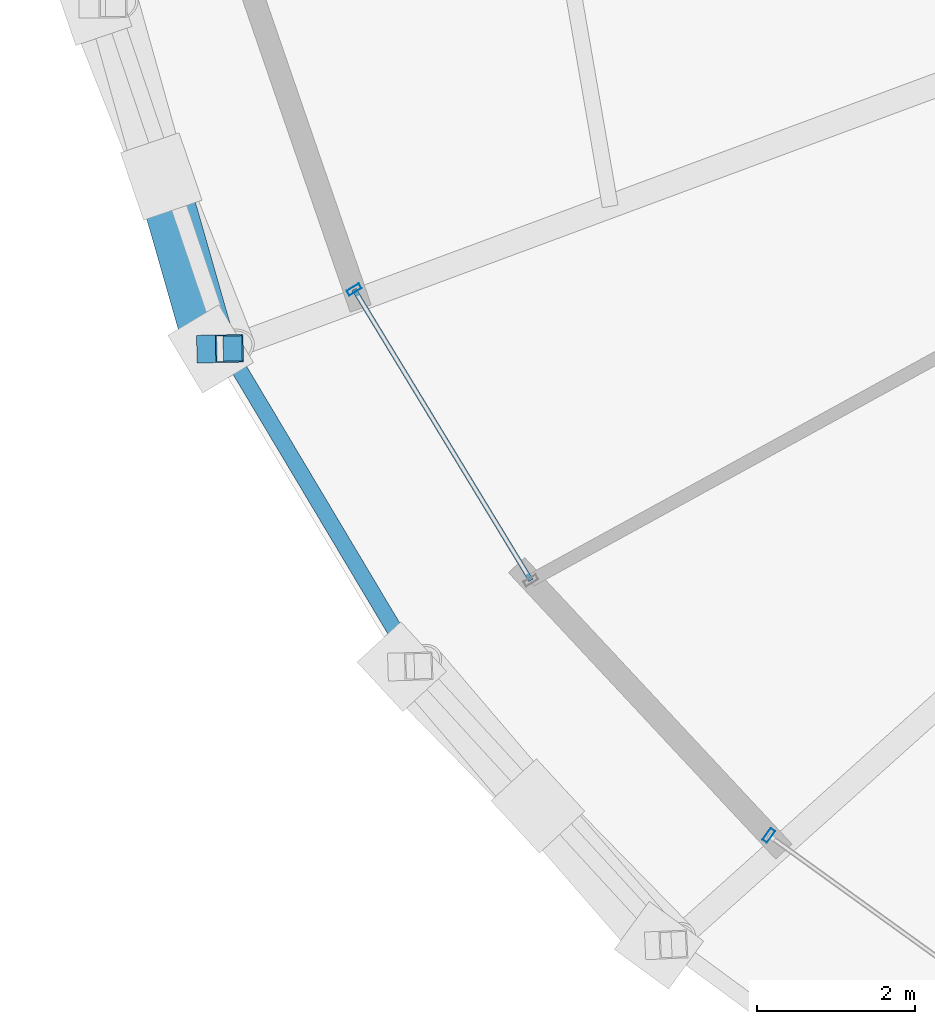
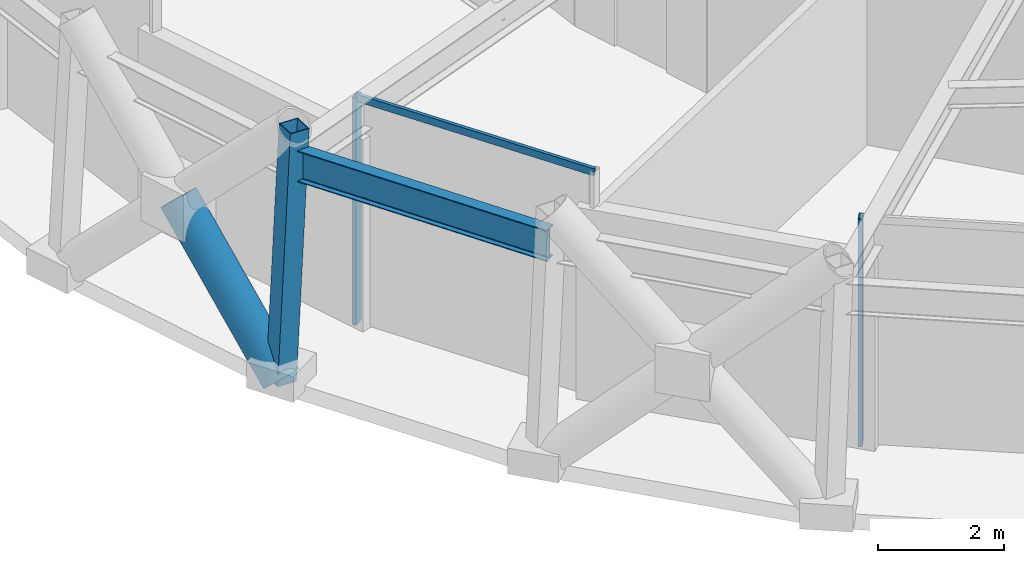
# One storey, part 2 of 29: 5 members, 1 beam, 2 elements without a shape of their own.
"""IFC4 building model written with IfcOpenShell, lengths in metres."""

from ifc_helpers import new_model, si_unit, direction, frame, origin, origin_2d, place, context, subcontext, project, spatial, hollow_rectangle, hollow_circle, i_section, extrude, material, layer, layer_set, material_profile, profile_set, type_object, element, aggregate, save


model = new_model("IFC4")

# Units and contexts
model_context = context("Model", 3, precision=1e-05, world=origin(), true_north=direction((0.0, 1.0)))
body_context = subcontext(model_context, "Body", "Model", "MODEL_VIEW")
ifc_project = project(units=[si_unit("LENGTHUNIT", "METRE"), si_unit("AREAUNIT", "SQUARE_METRE"), si_unit("VOLUMEUNIT", "CUBIC_METRE"), si_unit("PLANEANGLEUNIT", "RADIAN"), si_unit("MASSUNIT", "GRAM", prefix="KILO")], contexts=[model_context])

# Site, building, storey
site_placement = place(None, origin())
site = spatial("IfcSite", under=ifc_project, at=site_placement, CompositionType="ELEMENT")
building_placement = place(site_placement, origin())
building = spatial("IfcBuilding", under=site, at=building_placement, Name="Veldorina Hangang Commons", CompositionType="ELEMENT")
storey_placement = place(building_placement, frame((0.0, 0.0, 203.60009765625)))
storey = spatial("IfcBuildingStorey", under=building, at=storey_placement, Name="L53", CompositionType="ELEMENT", Elevation=203.60009765625)

# Beam
ifc_material_1 = material(Name="Steel SM420-TMC", Category="steel")
ifc_material_profile_1 = material_profile(ifc_material_1, i_section(OverallWidth=0.199951171875, OverallDepth=0.60009765625, WebThickness=0.010986328125, FlangeThickness=0.01708984375, FilletRadius=0.01806640625, at=origin_2d()), Name="H-600x200x11x17")
ifc_profile_set_1 = profile_set([ifc_material_profile_1], Name="Steel SM420-TMC")
beam_type = type_object("IfcBeamType", Name="BM-RB600", PredefinedType="BEAM", material=ifc_profile_set_1)
beam_placement = place(storey_placement, frame((8.0859375, 15.12451171875, 4.139892578125), z_axis=(0.512310103749, -0.858800534232, 0.0), x_axis=(0.858800534232, 0.512310103749, 0.0)))
element("IfcBeam", 1, at=beam_placement, inside=storey, type_object=beam_type, Name="L53 perimeter hoop ring beam 18", PredefinedType="BEAM", context=body_context, shape_type="SweptSolid", body=[
    extrude(i_section(OverallWidth=0.199951171875, OverallDepth=0.60009765625, WebThickness=0.010986328125, FlangeThickness=0.01708984375, FilletRadius=0.01806640625, at=origin_2d()), origin(), (0.0, 0.0, 1.0), 4.668701171875),
])

# Curtain wall, member
ifc_material_2 = material(Name="Glass Acoustic Laminated", Category="glass")
ifc_layer = layer(ifc_material_2, 0.179931640625)
ifc_layer_set = layer_set([ifc_layer], Name="Glass Acoustic Laminated")
curtain_wall_type = type_object("IfcCurtainWallType", Name="CW-SYS-SKY", PredefinedType="NOTDEFINED", material=ifc_layer_set)
curtain_wall_1_placement = place(storey_placement, origin())
curtain_wall_1 = element("IfcCurtainWall", 2, at=curtain_wall_1_placement, inside=storey, type_object=curtain_wall_type, Name="L53 unitised curtain wall CW-L53-R8", PredefinedType="NOTDEFINED")
ifc_material_3 = material(Name="Aluminium Anodized AA6063-T6", Category="aluminium")
ifc_material_profile_2 = material_profile(ifc_material_3, hollow_rectangle(XDim=0.070068359375, YDim=0.179931640625, WallThickness=0.00390625, at=origin_2d()), Name="ALU-RHS-180x70x4")
ifc_profile_set_2 = profile_set([ifc_material_profile_2], Name="Aluminium Anodized AA6063-T6")
member_type_1 = type_object("IfcMemberType", Name="CW-MUL-180", PredefinedType="MULLION", material=ifc_profile_set_2)
member_1_placement = place(storey_placement, frame((9.69189453125, 15.87060546875, 0.0), z_axis=(0.0, 0.0, 1.0), x_axis=(0.519235734041, -0.85463106221, 0.0)))
member_1 = element("IfcMember", 3, at=member_1_placement, type_object=member_type_1, Name="CW-L53-R8 vertical mullion 1", PredefinedType="MULLION", context=body_context, shape_type="SweptSolid", body=[
    extrude(hollow_rectangle(XDim=0.070068359375, YDim=0.179931640625, WallThickness=0.00390625, at=origin_2d()), origin(), (0.0, 0.0, 1.0), 4.39990234375),
])

curtain_wall_2_placement = place(storey_placement, origin())
curtain_wall_2 = element("IfcCurtainWall", 4, at=curtain_wall_2_placement, inside=storey, type_object=curtain_wall_type, Name="L53 unitised curtain wall CW-L53-R9", PredefinedType="NOTDEFINED")
member_2_placement = place(storey_placement, frame((14.926025390625, 8.97900390625, 0.0), z_axis=(0.0, 0.0, 1.0), x_axis=(0.810767641427, -0.58536811633, 0.0)))
member_2 = element("IfcMember", 5, at=member_2_placement, type_object=member_type_1, Name="CW-L53-R9 vertical mullion 1", PredefinedType="MULLION", context=body_context, shape_type="SweptSolid", body=[
    extrude(hollow_rectangle(XDim=0.070068359375, YDim=0.179931640625, WallThickness=0.00390625, at=origin_2d()), origin(), (0.0, 0.0, 1.0), 4.39990234375),
])
aggregate(curtain_wall_2, [member_2])

# Member
ifc_material_profile_3 = material_profile(ifc_material_3, hollow_rectangle(XDim=0.06005859375, YDim=0.139892578125, WallThickness=0.00341796875, at=origin_2d()), Name="ALU-RHS-140x60x3.5")
ifc_profile_set_3 = profile_set([ifc_material_profile_3], Name="Aluminium Anodized AA6063-T6")
member_type_2 = type_object("IfcMemberType", Name="CW-TRN-140", PredefinedType="USERDEFINED", material=ifc_profile_set_3)
member_3_placement = place(storey_placement, frame((9.69189453125, 15.87060546875, 4.35986328125), z_axis=(0.519258299414, -0.854617352088, 0.0), x_axis=(0.854617352088, 0.519258299414, 0.0)))
member_3 = element("IfcMember", 6, at=member_3_placement, type_object=member_type_2, Name="CW-L53-R8 facet 1 transom 1", ObjectType="TRANSOM", PredefinedType="USERDEFINED", context=body_context, shape_type="SweptSolid", body=[
    extrude(hollow_rectangle(XDim=0.06005859375, YDim=0.139892578125, WallThickness=0.00341796875, at=origin_2d()), origin(), (0.0, 0.0, 1.0), 4.29736328125),
])

aggregate(curtain_wall_1, [member_1, member_3])

# Members
ifc_material_4 = material(Name="Steel SM460-TMC", Category="steel")
ifc_material_profile_4 = material_profile(ifc_material_4, hollow_circle(Radius=0.324951171875, WallThickness=0.031982421875, at=origin_2d()), Name="CHS-650x32")
ifc_profile_set_4 = profile_set([ifc_material_profile_4], Name="Steel SM460-TMC")
member_type_3 = type_object("IfcMemberType", Name="DG-CHS650", PredefinedType="BRACE", material=ifc_profile_set_4)
member_4_placement = place(storey_placement, frame((7.881103515625, 15.12060546875, 0.0), z_axis=(-0.188899138463, 0.659519818981, 0.72756492759), x_axis=(-0.961344737688, -0.275347590003, 0.0)))
element("IfcMember", 7, at=member_4_placement, inside=storey, type_object=member_type_3, Name="L53 split perimeter diagrid lower brace 18", PredefinedType="BRACE", context=body_context, shape_type="SweptSolid", body=[
    extrude(hollow_circle(Radius=0.324951171875, WallThickness=0.031982421875, at=origin_2d()), origin(), (0.0, 0.0, 1.0), 3.30078125),
])
ifc_material_5 = material(Name="Steel SM355-TMC", Category="steel")
ifc_material_profile_5 = material_profile(ifc_material_5, hollow_rectangle(XDim=0.35009765625, YDim=0.35009765625, WallThickness=0.01611328125, at=origin_2d()), Name="SHS-350x350x16")
ifc_profile_set_5 = profile_set([ifc_material_profile_5], Name="Steel SM355-TMC")
member_type_4 = type_object("IfcMemberType", Name="STR-SHS350", PredefinedType="STRUT", material=ifc_profile_set_5)
member_5_placement = place(storey_placement, frame((7.881103515625, 15.12060546875, 0.0), z_axis=(0.049380150625, 0.000965249858, 0.998779589808), x_axis=(-0.019543591677, 0.999809005773, 0.0)))
element("IfcMember", 8, at=member_5_placement, inside=storey, type_object=member_type_4, Name="L53 perimeter ring node post 18", PredefinedType="STRUT", context=body_context, shape_type="SweptSolid", body=[
    extrude(hollow_rectangle(XDim=0.35009765625, YDim=0.35009765625, WallThickness=0.01611328125, at=origin_2d()), origin(), (0.0, 0.0, 1.0), 4.8056640625),
])

save(model, "model.ifc")
